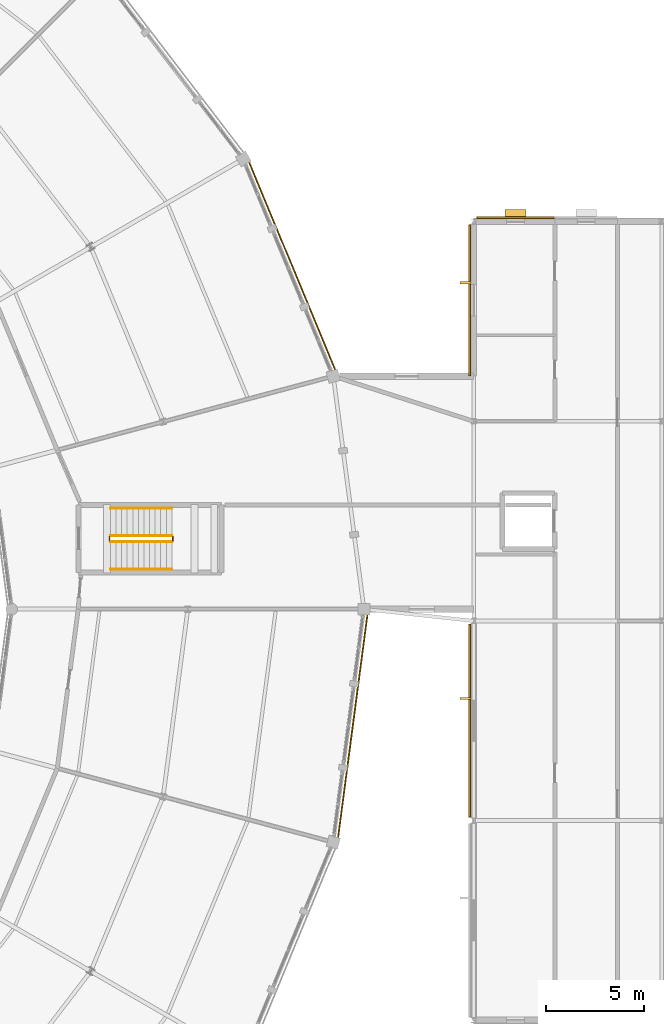
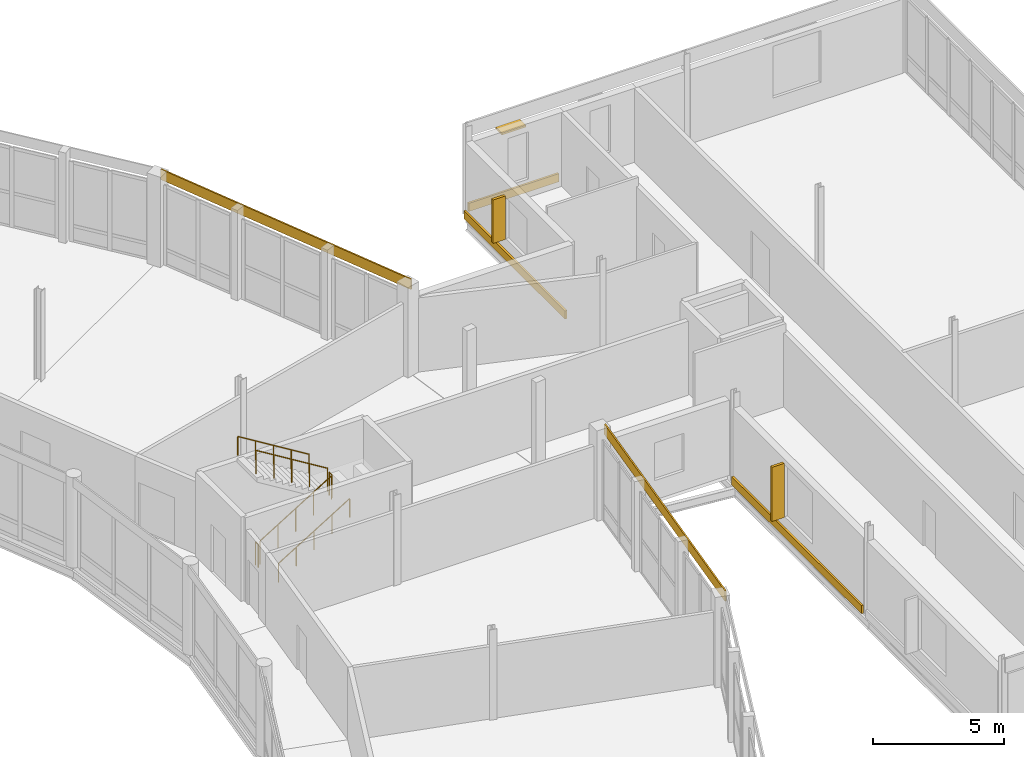
# One storey, part 169 of 170: 6 railings, 5 coverings, 3 shading devices.
"""IFC4 building model written with IfcOpenShell, lengths in metres."""

from ifc_helpers import new_model, si_unit, direction, frame, origin, origin_2d, place, context, subcontext, project, spatial, rectangle, circle, extrude, material, layer, layer_set, type_object, element, save


model = new_model("IFC4")

# Units and contexts
model_context = context("Model", 3, precision=1e-05, world=origin(), true_north=direction((0.0, 1.0)))
body_context = subcontext(model_context, "Body", "Model", "MODEL_VIEW")
ifc_project = project(units=[si_unit("LENGTHUNIT", "METRE"), si_unit("AREAUNIT", "SQUARE_METRE"), si_unit("VOLUMEUNIT", "CUBIC_METRE"), si_unit("PLANEANGLEUNIT", "RADIAN"), si_unit("MASSUNIT", "GRAM", prefix="KILO")], contexts=[model_context])

# Site, building, storey
site_placement = place(None, origin())
site = spatial("IfcSite", under=ifc_project, at=site_placement, CompositionType="ELEMENT")
building_placement = place(site_placement, origin())
building = spatial("IfcBuilding", under=site, at=building_placement, Name="Vondelvale Polytechnic", CompositionType="ELEMENT")
storey_placement = place(building_placement, frame((0.0, 0.0, 5.39990234375)))
storey = spatial("IfcBuildingStorey", under=building, at=storey_placement, Name="L01", CompositionType="ELEMENT", Elevation=5.39990234375)

# Coverings
ifc_material_1 = material(Name="Amsterdam School iron-spot clinker clay brickwork", Category="masonry")
ifc_layer_1 = layer(ifc_material_1, 0.090087890625)
ifc_layer_set_1 = layer_set([ifc_layer_1], Name="COV-BRICK-RELIEF")
covering_type_1 = type_object("IfcCoveringType", Name="COV-BRICK-RELIEF", PredefinedType="CLADDING", material=ifc_layer_set_1)
covering_1_placement = place(storey_placement, frame((155.740478515625, 92.0009765625, 0.000244140625), z_axis=(0.0, 0.0, 1.0), x_axis=(1.0, 0.0, 0.0)))
element("IfcCovering", 1, at=covering_1_placement, inside=storey, type_object=covering_type_1, Name="L01 exterior corbelled masonry relief band", PredefinedType="CLADDING", context=body_context, shape_type="SweptSolid", body=[
    extrude(rectangle(XDim=3.958984375, YDim=0.090087890625, at=origin_2d()), origin(), (0.0, 0.0, 1.0), 0.3798828125),
])
covering_2_placement = place(storey_placement, frame((153.39892578125, 66.300048828125, 0.000244140625), z_axis=(0.0, 0.0, 1.0), x_axis=(0.0, 1.0, 0.0)))
element("IfcCovering", 2, at=covering_2_placement, inside=storey, type_object=covering_type_1, Name="L01 exterior corbelled masonry relief band", PredefinedType="CLADDING", context=body_context, shape_type="SweptSolid", body=[
    extrude(rectangle(XDim=9.8779296875, YDim=0.090087890625, at=origin_2d()), origin(), (0.0, 0.0, 1.0), 0.3798828125),
])
covering_3_placement = place(storey_placement, frame((153.39892578125, 87.787353515625, 0.000244140625), z_axis=(0.0, 0.0, 1.0), x_axis=(0.0, 1.0, 0.0)))
element("IfcCovering", 3, at=covering_3_placement, inside=storey, type_object=covering_type_1, Name="L01 exterior corbelled masonry relief band", PredefinedType="CLADDING", context=body_context, shape_type="SweptSolid", body=[
    extrude(rectangle(XDim=7.703369140625, YDim=0.090087890625, at=origin_2d()), origin(), (0.0, 0.0, 1.0), 0.3798828125),
])
ifc_material_2 = material(Name="Engineered Tasmanian oak studio and bridge joinery")
ifc_layer_2 = layer(ifc_material_2, 0.06494140625)
ifc_layer_set_2 = layer_set([ifc_layer_2], Name="COV-OAK-SPANDREL")
covering_type_2 = type_object("IfcCoveringType", Name="COV-OAK-SPANDREL", PredefinedType="CLADDING", material=ifc_layer_set_2)
for number, where, z_axis, x_axis, name in (
    (4, (144.32958984375, 89.533447265625, 3.72021484375), (0.0, 0.0, 1.0), (-0.382683432365, 0.923879532511, 0.0), "L01 exterior masonry spandrel band"),
    (5, (147.42529296875, 66.019775390625, 3.72021484375), (0.0, 0.0, 1.0), (0.13052619222, 0.991444861374, 0.0), "L01 exterior masonry spandrel band"),
):
    element("IfcCovering", number, at=place(storey_placement, frame(where, z_axis=z_axis, x_axis=x_axis)), inside=storey, type_object=covering_type_2, Name=name, PredefinedType="CLADDING", context=body_context, shape_type="SweptSolid", body=[
        extrude(rectangle(XDim=12.00830078125, YDim=0.06494140625, at=origin_2d()), origin(), (0.0, 0.0, 1.0), 0.47998046875),
    ])

# Railings
ifc_material_3 = material(Name="Brushed architectural stainless and zinc-coated metal")
ifc_layer_3 = layer(ifc_material_3, 0.050048828125)
ifc_layer_set_3 = layer_set([ifc_layer_3], Name="RL-STAIR-GUARD")
railing_type_1 = type_object("IfcRailingType", Name="RL-STAIR-GUARD", PredefinedType="GUARDRAIL", material=ifc_layer_set_3)
railing_1_placement = place(storey_placement, frame((135.050048828125, 75.449951171875, 0.175048828125)))
element("IfcRailing", 6, at=railing_1_placement, inside=storey, type_object=railing_type_1, Name="L01 ST-08 stair guard 1", PredefinedType="GUARDRAIL", context=body_context, shape_type="SweptSolid", body=[
    extrude(circle(Radius=0.02392578125, at=origin_2d()), frame((0.0, 0.0, 1.076171875), z_axis=(0.852166034122, 0.0, 0.523271488128), x_axis=(0.0, 1.0, 0.0)), (0.0, 0.0, 1.0), 3.678955078125),
    extrude(circle(Radius=0.02099609375, at=origin_2d()), origin(), (0.0, 0.0, 1.0), 1.052001953125),
    extrude(circle(Radius=0.02099609375, at=origin_2d()), frame((0.78369140625, 0.0, 0.481201171875)), (0.0, 0.0, 1.0), 1.052001953125),
    extrude(circle(Radius=0.02099609375, at=origin_2d()), frame((1.5673828125, 0.0, 0.96240234375)), (0.0, 0.0, 1.0), 1.052001953125),
    extrude(circle(Radius=0.02099609375, at=origin_2d()), frame((2.351318359375, 0.0, 1.44384765625)), (0.0, 0.0, 1.0), 1.052001953125),
    extrude(circle(Radius=0.02099609375, at=origin_2d()), frame((3.135009765625, 0.0, 1.925048828125)), (0.0, 0.0, 1.0), 1.052001953125),
])
railing_2_placement = place(storey_placement, frame((138.235107421875, 75.5, 2.10009765625)))
element("IfcRailing", 7, at=railing_2_placement, inside=storey, type_object=railing_type_1, Name="L01 ST-08 stair guard 2", PredefinedType="GUARDRAIL", context=body_context, shape_type="SweptSolid", body=[
    extrude(circle(Radius=0.02392578125, at=origin_2d()), frame((0.0, 0.0, 1.076171875), z_axis=(0.0, 1.0, 0.0), x_axis=(-1.0, 0.0, 0.0)), (0.0, 0.0, 1.0), 0.199951171875),
    extrude(circle(Radius=0.02099609375, at=origin_2d()), origin(), (0.0, 0.0, 1.0), 1.052001953125),
    extrude(circle(Radius=0.02099609375, at=origin_2d()), frame((0.0, 0.199951171875, 0.0)), (0.0, 0.0, 1.0), 1.052001953125),
])
railing_3_placement = place(storey_placement, frame((138.18505859375, 75.75, 2.275146484375)))
element("IfcRailing", 8, at=railing_3_placement, inside=storey, type_object=railing_type_1, Name="L01 ST-08 stair guard 3", PredefinedType="GUARDRAIL", context=body_context, shape_type="SweptSolid", body=[
    extrude(circle(Radius=0.02392578125, at=origin_2d()), frame((0.0, 0.0, 1.076171875), z_axis=(-0.852166034122, 0.0, 0.523271488128), x_axis=(0.0, -1.0, 0.0)), (0.0, 0.0, 1.0), 3.678955078125),
    extrude(circle(Radius=0.02099609375, at=origin_2d()), origin(), (0.0, 0.0, 1.0), 1.052001953125),
    extrude(circle(Radius=0.02099609375, at=origin_2d()), frame((-0.78369140625, 0.0, 0.481201171875)), (0.0, 0.0, 1.0), 1.052001953125),
    extrude(circle(Radius=0.02099609375, at=origin_2d()), frame((-1.5673828125, 0.0, 0.96240234375)), (0.0, 0.0, 1.0), 1.052001953125),
    extrude(circle(Radius=0.02099609375, at=origin_2d()), frame((-2.351318359375, 0.0, 1.44384765625)), (0.0, 0.0, 1.0), 1.052001953125),
    extrude(circle(Radius=0.02099609375, at=origin_2d()), frame((-3.135009765625, 0.0, 1.925048828125)), (0.0, 0.0, 1.0), 1.052001953125),
])
railing_4_placement = place(storey_placement, frame((135.0, 75.5, 0.0)))
element("IfcRailing", 9, at=railing_4_placement, inside=storey, type_object=railing_type_1, Name="L01 ST-08 stair guard 4", PredefinedType="GUARDRAIL", context=body_context, shape_type="SweptSolid", body=[
    extrude(circle(Radius=0.02392578125, at=origin_2d()), frame((0.0, 0.0, 1.076171875), z_axis=(0.0, 1.0, 0.0), x_axis=(-1.0, 0.0, 0.0)), (0.0, 0.0, 1.0), 0.199951171875),
    extrude(circle(Radius=0.02099609375, at=origin_2d()), origin(), (0.0, 0.0, 1.0), 1.052001953125),
    extrude(circle(Radius=0.02099609375, at=origin_2d()), frame((0.0, 0.199951171875, 0.0)), (0.0, 0.0, 1.0), 1.052001953125),
])
ifc_layer_4 = layer(ifc_material_3, 0.048095703125)
ifc_layer_set_4 = layer_set([ifc_layer_4], Name="RL-STAIR-HANDRAIL")
railing_type_2 = type_object("IfcRailingType", Name="RL-STAIR-HANDRAIL", PredefinedType="HANDRAIL", material=ifc_layer_set_4)
railing_5_placement = place(storey_placement, frame((135.050048828125, 74.050048828125, 0.175048828125)))
element("IfcRailing", 10, at=railing_5_placement, inside=storey, type_object=railing_type_2, Name="L01 ST-08 stair handrail 1", PredefinedType="HANDRAIL", context=body_context, shape_type="SweptSolid", body=[
    extrude(circle(Radius=0.02392578125, at=origin_2d()), frame((0.0, 0.0, 0.8759765625), z_axis=(0.852166034122, 0.0, 0.523271488128), x_axis=(0.0, 1.0, 0.0)), (0.0, 0.0, 1.0), 3.678955078125),
    extrude(circle(Radius=0.02099609375, at=origin_2d()), origin(), (0.0, 0.0, 1.0), 0.851806640625),
    extrude(circle(Radius=0.02099609375, at=origin_2d()), frame((0.78369140625, 0.0, 0.481201171875)), (0.0, 0.0, 1.0), 0.851806640625),
    extrude(circle(Radius=0.02099609375, at=origin_2d()), frame((1.5673828125, 0.0, 0.96240234375)), (0.0, 0.0, 1.0), 0.851806640625),
    extrude(circle(Radius=0.02099609375, at=origin_2d()), frame((2.351318359375, 0.0, 1.44384765625)), (0.0, 0.0, 1.0), 0.851806640625),
    extrude(circle(Radius=0.02099609375, at=origin_2d()), frame((3.135009765625, 0.0, 1.925048828125)), (0.0, 0.0, 1.0), 0.851806640625),
])
railing_6_placement = place(storey_placement, frame((138.18505859375, 77.14990234375, 2.275146484375)))
element("IfcRailing", 11, at=railing_6_placement, inside=storey, type_object=railing_type_2, Name="L01 ST-08 stair handrail 2", PredefinedType="HANDRAIL", context=body_context, shape_type="SweptSolid", body=[
    extrude(circle(Radius=0.02392578125, at=origin_2d()), frame((0.0, 0.0, 0.8759765625), z_axis=(-0.852166034122, 0.0, 0.523271488128), x_axis=(0.0, -1.0, 0.0)), (0.0, 0.0, 1.0), 3.678955078125),
    extrude(circle(Radius=0.02099609375, at=origin_2d()), origin(), (0.0, 0.0, 1.0), 0.851806640625),
    extrude(circle(Radius=0.02099609375, at=origin_2d()), frame((-0.78369140625, 0.0, 0.481201171875)), (0.0, 0.0, 1.0), 0.851806640625),
    extrude(circle(Radius=0.02099609375, at=origin_2d()), frame((-1.5673828125, 0.0, 0.96240234375)), (0.0, 0.0, 1.0), 0.851806640625),
    extrude(circle(Radius=0.02099609375, at=origin_2d()), frame((-2.351318359375, 0.0, 1.44384765625)), (0.0, 0.0, 1.0), 0.851806640625),
    extrude(circle(Radius=0.02099609375, at=origin_2d()), frame((-3.135009765625, 0.0, 1.925048828125)), (0.0, 0.0, 1.0), 0.851806640625),
])

# Shading devices
ifc_material_4 = material(Name="Anodised extruded aluminium 6063-T6", Category="aluminium")
shading_device_type_1 = type_object("IfcShadingDeviceType", Name="SHD-BRONZE-LOUVRE", PredefinedType="SHUTTER", material=ifc_material_4)
shading_device_1_placement = place(storey_placement, frame((155.740478515625, 92.18505859375, 3.0576171875), z_axis=(0.0, 0.0, 1.0), x_axis=(1.0, 0.0, 0.0)))
element("IfcShadingDevice", 12, at=shading_device_1_placement, inside=storey, type_object=shading_device_type_1, Name="L01 horizontal bronze sun-louvre overhang", PredefinedType="SHUTTER", context=body_context, shape_type="SweptSolid", body=[
    extrude(rectangle(XDim=1.06005859375, YDim=0.47998046875, at=origin_2d()), origin(), (0.0, 0.0, 1.0), 0.0849609375),
])
ifc_material_5 = material(Name="Kiln-fired architectural terracotta", Category="masonry")
shading_device_type_2 = type_object("IfcShadingDeviceType", Name="SHD-TERRA-FIN-550", PredefinedType="JALOUSIE", material=ifc_material_5)
shading_device_2_placement = place(storey_placement, frame((153.179931640625, 67.43994140625, 0.7900390625), z_axis=(0.0, 0.0, 1.0), x_axis=(0.0, 1.0, 0.0)))
element("IfcShadingDevice", 13, at=shading_device_2_placement, inside=storey, type_object=shading_device_type_2, Name="L01 vertical terracotta solar fin", PredefinedType="JALOUSIE", context=body_context, shape_type="SweptSolid", body=[
    extrude(rectangle(XDim=0.110107421875, YDim=0.550048828125, at=origin_2d()), origin(), (0.0, 0.0, 1.0), 2.52001953125),
])
shading_device_3_placement = place(storey_placement, frame((153.179931640625, 88.67724609375, 0.840087890625), z_axis=(0.0, 0.0, 1.0), x_axis=(0.0, 1.0, 0.0)))
element("IfcShadingDevice", 14, at=shading_device_3_placement, inside=storey, type_object=shading_device_type_2, Name="L01 vertical terracotta solar fin", PredefinedType="JALOUSIE", context=body_context, shape_type="SweptSolid", body=[
    extrude(rectangle(XDim=0.110107421875, YDim=0.550048828125, at=origin_2d()), origin(), (0.0, 0.0, 1.0), 2.02001953125),
])

save(model, "model.ifc")
